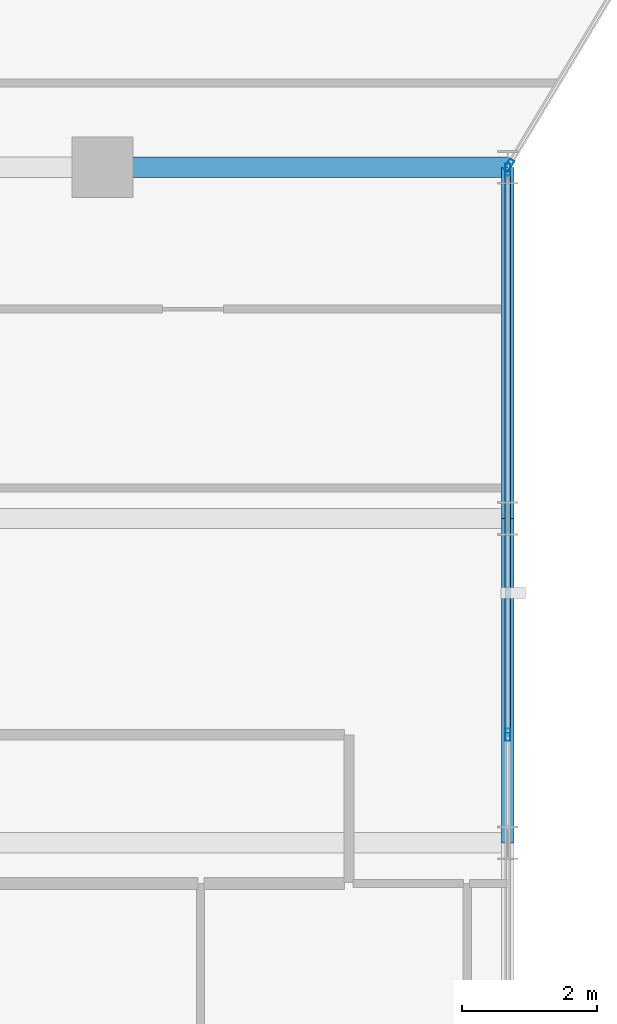
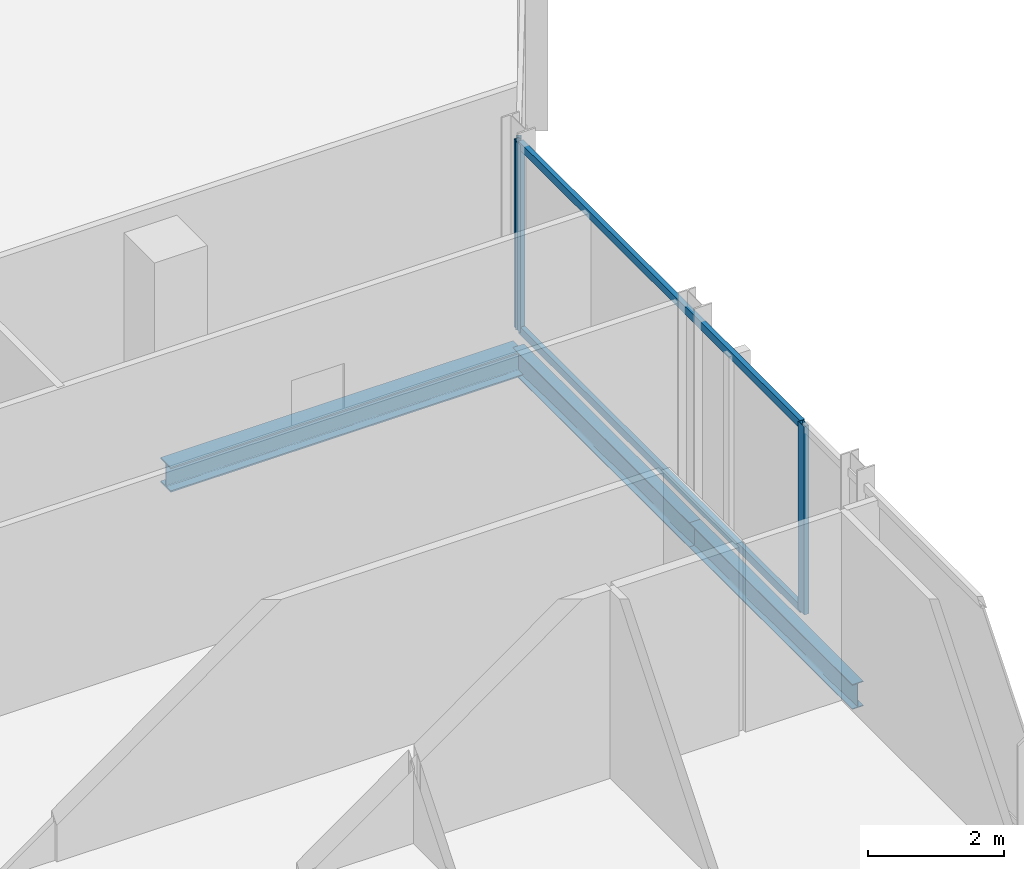
# One storey, part 13 of 31: 5 members, 3 beams, 2 elements without a shape of their own.
"""IFC4 building model written with IfcOpenShell, lengths in metres."""

from ifc_helpers import new_model, si_unit, direction, frame, origin, origin_2d, place, context, subcontext, project, spatial, hollow_rectangle, i_section, extrude, material, layer, layer_set, material_profile, profile_set, type_object, element, aggregate, save


model = new_model("IFC4")

# Units and contexts
model_context = context("Model", 3, precision=1e-05, world=origin(), true_north=direction((0.0, 1.0)))
body_context = subcontext(model_context, "Body", "Model", "MODEL_VIEW")
ifc_project = project(units=[si_unit("LENGTHUNIT", "METRE"), si_unit("AREAUNIT", "SQUARE_METRE"), si_unit("VOLUMEUNIT", "CUBIC_METRE"), si_unit("PLANEANGLEUNIT", "RADIAN"), si_unit("MASSUNIT", "GRAM", prefix="KILO")], contexts=[model_context])

# Site, building, storey
site_placement = place(None, origin())
site = spatial("IfcSite", under=ifc_project, at=site_placement, CompositionType="ELEMENT")
building_placement = place(site_placement, origin())
building = spatial("IfcBuilding", under=site, at=building_placement, Name="Keshet Zoharim Tower", CompositionType="ELEMENT")
storey_placement = place(building_placement, frame((0.0, 0.0, 140.89990234375)))
storey = spatial("IfcBuildingStorey", under=building, at=storey_placement, Name="L34", CompositionType="ELEMENT", Elevation=140.89990234375)

# Beams
ifc_material_1 = material(Name="Steel S355", Category="steel")
ifc_material_profile_1 = material_profile(ifc_material_1, i_section(OverallWidth=0.18994140625, OverallDepth=0.449951171875, WebThickness=0.009521484375, FlangeThickness=0.0146484375, FilletRadius=0.02099609375, at=origin_2d()), Name="IPE450")
ifc_profile_set_1 = profile_set([ifc_material_profile_1], Name="Steel S355")
beam_type_1 = type_object("IfcBeamType", Name="BM-PRI-IP450", PredefinedType="BEAM", material=ifc_profile_set_1)
beam_1_placement = place(storey_placement, frame((57.0, 17.89990234375, -0.539794921875), z_axis=(0.0, 1.0, 0.0), x_axis=(-1.0, 0.0, 0.0)))
element("IfcBeam", 1, at=beam_1_placement, inside=storey, type_object=beam_type_1, Name="L34 Primary Girder Y-015", PredefinedType="BEAM", context=body_context, shape_type="SweptSolid", body=[
    extrude(i_section(OverallWidth=0.18994140625, OverallDepth=0.449951171875, WebThickness=0.009521484375, FlangeThickness=0.0146484375, FilletRadius=0.02099609375, at=origin_2d()), origin(), (0.0, 0.0, 1.0), 4.800048828125),
])
beam_2_placement = place(storey_placement, frame((57.0, 22.699951171875, -0.539794921875), z_axis=(0.0, 1.0, 0.0), x_axis=(-1.0, 0.0, 0.0)))
element("IfcBeam", 2, at=beam_2_placement, inside=storey, type_object=beam_type_1, Name="L34 Primary Girder Y-016", PredefinedType="BEAM", context=body_context, shape_type="SweptSolid", body=[
    extrude(i_section(OverallWidth=0.18994140625, OverallDepth=0.449951171875, WebThickness=0.009521484375, FlangeThickness=0.0146484375, FilletRadius=0.02099609375, at=origin_2d()), origin(), (0.0, 0.0, 1.0), 5.199951171875),
])
ifc_material_profile_2 = material_profile(ifc_material_1, i_section(OverallWidth=0.300048828125, OverallDepth=0.449951171875, WebThickness=0.013916015625, FlangeThickness=0.02587890625, FilletRadius=0.027099609375, at=origin_2d()), Name="HEB450")
ifc_profile_set_2 = profile_set([ifc_material_profile_2], Name="Steel S355")
beam_type_2 = type_object("IfcBeamType", Name="BM-WEB-HB450", PredefinedType="BEAM", material=ifc_profile_set_2)
beam_3_placement = place(storey_placement, frame((51.0, 27.89990234375, -0.539794921875), z_axis=(1.0, 0.0, 0.0), x_axis=(0.0, 1.0, 0.0)))
element("IfcBeam", 3, at=beam_3_placement, inside=storey, type_object=beam_type_2, Name="L34 Primary Girder X-017", PredefinedType="BEAM", context=body_context, shape_type="SweptSolid", body=[
    extrude(i_section(OverallWidth=0.300048828125, OverallDepth=0.449951171875, WebThickness=0.013916015625, FlangeThickness=0.02587890625, FilletRadius=0.027099609375, at=origin_2d()), origin(), (0.0, 0.0, 1.0), 6.0),
])

# Curtain wall, member
ifc_material_2 = material(Name="Aluminium 6063-T6", Category="aluminium")
ifc_layer = layer(ifc_material_2, 0.159912109375)
ifc_layer_set = layer_set([ifc_layer], Name="Aluminium 6063-T6")
curtain_wall_type = type_object("IfcCurtainWallType", Name="CW-SYS-03", PredefinedType="NOTDEFINED", material=ifc_layer_set)
curtain_wall_1_placement = place(storey_placement, origin())
curtain_wall_1 = element("IfcCurtainWall", 4, at=curtain_wall_1_placement, inside=storey, type_object=curtain_wall_type, Name="L34 Unitised Curtain Wall 18", PredefinedType="NOTDEFINED")
ifc_material_profile_3 = material_profile(ifc_material_2, hollow_rectangle(XDim=0.080078125, YDim=0.179931640625, WallThickness=0.00439453125, at=origin_2d()), Name="MUL-80x180")
ifc_profile_set_3 = profile_set([ifc_material_profile_3], Name="Aluminium 6063-T6")
member_type_1 = type_object("IfcMemberType", Name="CWM-M18", PredefinedType="MULLION", material=ifc_profile_set_3)
member_1_placement = place(storey_placement, frame((57.01806640625, 27.929931640625, 0.0), z_axis=(0.0, 0.0, 1.0), x_axis=(0.857501477862, -0.514481501576, 0.0)))
member_1 = element("IfcMember", 5, at=member_1_placement, type_object=member_type_1, Name="CW-03 mullion 2", PredefinedType="MULLION", context=body_context, shape_type="SweptSolid", body=[
    extrude(hollow_rectangle(XDim=0.080078125, YDim=0.179931640625, WallThickness=0.00439453125, at=origin_2d()), origin(), (0.0, 0.0, 1.0), 3.385009765625),
])
aggregate(curtain_wall_1, [member_1])

# Curtain wall, members
curtain_wall_2_placement = place(storey_placement, origin())
curtain_wall_2 = element("IfcCurtainWall", 6, at=curtain_wall_2_placement, inside=storey, type_object=curtain_wall_type, Name="L34 Unitised Curtain Wall 19", PredefinedType="NOTDEFINED")
member_2_placement = place(storey_placement, frame((57.0, 27.864990234375, 0.0), z_axis=(0.0, 0.0, 1.0), x_axis=(1.0, 0.0, 0.0)))
member_2 = element("IfcMember", 7, at=member_2_placement, type_object=member_type_1, Name="CW-03 mullion 1", PredefinedType="MULLION", context=body_context, shape_type="SweptSolid", body=[
    extrude(hollow_rectangle(XDim=0.080078125, YDim=0.179931640625, WallThickness=0.00439453125, at=origin_2d()), origin(), (0.0, 0.0, 1.0), 3.385009765625),
])
member_3_placement = place(storey_placement, frame((57.0, 19.5, 0.0), z_axis=(0.0, 0.0, 1.0), x_axis=(1.0, 0.0, 0.0)))
member_3 = element("IfcMember", 8, at=member_3_placement, type_object=member_type_1, Name="CW-03 mullion 2", PredefinedType="MULLION", context=body_context, shape_type="SweptSolid", body=[
    extrude(hollow_rectangle(XDim=0.080078125, YDim=0.179931640625, WallThickness=0.00439453125, at=origin_2d()), origin(), (0.0, 0.0, 1.0), 3.385009765625),
])
ifc_material_profile_4 = material_profile(ifc_material_2, hollow_rectangle(XDim=0.080078125, YDim=0.139892578125, WallThickness=0.00390625, at=origin_2d()), Name="TRN-80x140")
ifc_profile_set_4 = profile_set([ifc_material_profile_4], Name="Aluminium 6063-T6")
member_type_2 = type_object("IfcMemberType", Name="CWT-T14", PredefinedType="USERDEFINED", material=ifc_profile_set_4)
member_4_placement = place(storey_placement, frame((57.0, 27.830078125, 0.03515625), z_axis=(0.0, -1.0, 0.0), x_axis=(1.0, 0.0, 0.0)))
member_4 = element("IfcMember", 9, at=member_4_placement, type_object=member_type_2, Name="CW-03 transom 1.1", ObjectType="TRANSOM", PredefinedType="USERDEFINED", context=body_context, shape_type="SweptSolid", body=[
    extrude(hollow_rectangle(XDim=0.080078125, YDim=0.139892578125, WallThickness=0.00390625, at=origin_2d()), origin(), (0.0, 0.0, 1.0), 8.295166015625),
])
member_5_placement = place(storey_placement, frame((57.0, 27.830078125, 3.35009765625), z_axis=(0.0, -1.0, 0.0), x_axis=(1.0, 0.0, 0.0)))
member_5 = element("IfcMember", 10, at=member_5_placement, type_object=member_type_2, Name="CW-03 transom 1.2", ObjectType="TRANSOM", PredefinedType="USERDEFINED", context=body_context, shape_type="SweptSolid", body=[
    extrude(hollow_rectangle(XDim=0.080078125, YDim=0.139892578125, WallThickness=0.00390625, at=origin_2d()), origin(), (0.0, 0.0, 1.0), 8.295166015625),
])
aggregate(curtain_wall_2, [member_2, member_3, member_4, member_5])

save(model, "model.ifc")
